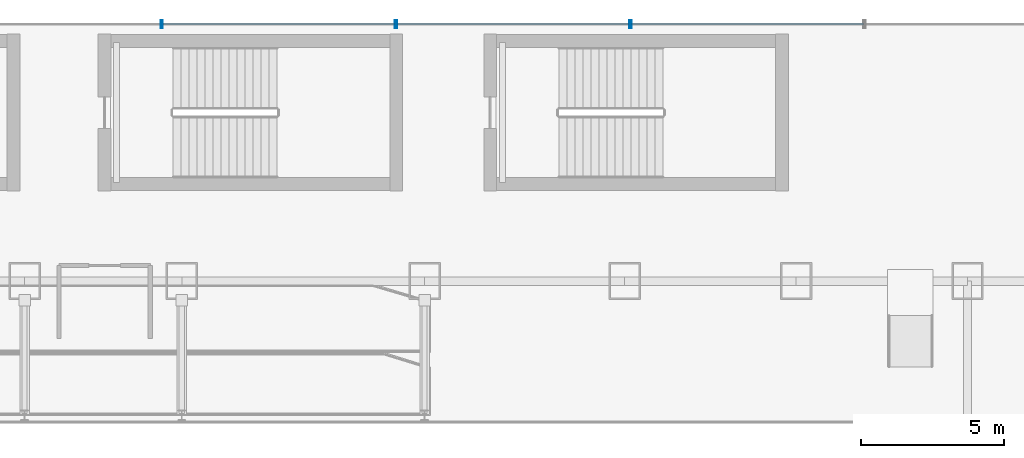
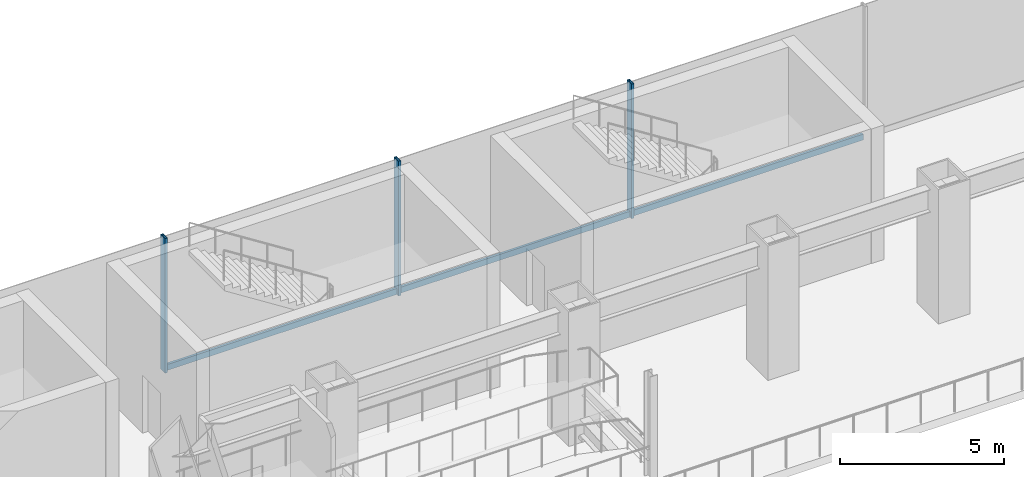
# One storey, part 17 of 39: 6 members, 1 element without a shape of its own.
"""IFC4 building model written with IfcOpenShell, lengths in metres."""

import ifcopenshell
import ifcopenshell.guid

model = None  # the IFC model being written
_history = None  # IfcOwnerHistory: only IFC2X3 demands one
_inside = {}  # id of a spatial element -> (the spatial element, [elements in it])
_under = {}  # id of a project, library or spatial element -> (it, [spatial elements below it])
_declared = {}  # id of a project -> (the project, [libraries it declares])
_typed = {}  # id of a type object -> (the type object, [elements of that type])
_made_of = {}  # id of a material, layer set ... -> (it, [elements and type objects made of it])


def new_model(schema):
    """Start an empty IFC model of exactly this schema.

    Asked for "IFC4X3", IfcOpenShell would pick the latest addendum, in which some entities
    have other attributes; the version numbers below select the first issue.
    IFC2X3 requires an IfcOwnerHistory on every rooted entity: one is made here for all.
    """
    global model, _history
    if schema == "IFC4X3":
        model = ifcopenshell.file(schema_version=(4, 3, 0, 0))
    else:
        model = ifcopenshell.file(schema=schema)
    _inside.clear()
    _under.clear()
    _declared.clear()
    _typed.clear()
    _made_of.clear()
    _history = None
    if model.schema == "IFC2X3":
        org = make("IfcOrganization", Name="unknown")
        user = make(
            "IfcPersonAndOrganization",
            ThePerson=make("IfcPerson", FamilyName="unknown"),
            TheOrganization=org,
        )
        app = make(
            "IfcApplication",
            ApplicationDeveloper=org,
            Version="unknown",
            ApplicationFullName="unknown",
            ApplicationIdentifier="unknown",
        )
        _history = make(
            "IfcOwnerHistory",
            OwningUser=user,
            OwningApplication=app,
            ChangeAction="ADDED",
            CreationDate=0,
        )
    return model


def make(cls, **values):
    """One entity of the class cls with the attributes given. An attribute that is None is left unset."""
    return model.create_entity(
        cls, **{name: value for name, value in values.items() if value is not None}
    )


def rooted(cls, **values):
    """An entity with a GlobalId (a new one), such as an element, a storey or a relation."""
    return make(cls, GlobalId=ifcopenshell.guid.new(), OwnerHistory=_history, **values)


def si_unit(unit_type, name, prefix=None):
    """IfcSIUnit, for example si_unit("LENGTHUNIT", "METRE", prefix="MILLI")."""
    return make("IfcSIUnit", UnitType=unit_type, Prefix=prefix, Name=name)


def derived_unit(unit_type, elements):
    """IfcDerivedUnit: a product of units, each with its exponent."""
    return make(
        "IfcDerivedUnit",
        Elements=[
            make("IfcDerivedUnitElement", Unit=unit, Exponent=power)
            for unit, power in elements
        ],
        UnitType=unit_type,
    )


def assignment(units):
    """IfcUnitAssignment: the units of a project."""
    return None if units is None else make("IfcUnitAssignment", Units=units)


def point(xyz):
    """IfcCartesianPoint."""
    return None if xyz is None else make("IfcCartesianPoint", Coordinates=xyz)


def direction(xyz):
    """IfcDirection."""
    return None if xyz is None else make("IfcDirection", DirectionRatios=xyz)


def frame(location, z_axis=None, x_axis=None):
    """IfcAxis2Placement3D, a coordinate frame: its origin and axes. An axis left out is left unset."""
    return make(
        "IfcAxis2Placement3D",
        Location=point(location),
        Axis=direction(z_axis),
        RefDirection=direction(x_axis),
    )


def frame_2d(location, x_axis=None):
    """IfcAxis2Placement2D, a coordinate frame in the plane: its origin and x axis."""
    return make(
        "IfcAxis2Placement2D", Location=point(location), RefDirection=direction(x_axis)
    )


def origin():
    """The frame at (0, 0, 0) with its axes left unset."""
    return frame((0.0, 0.0, 0.0))


def origin_2d():
    """The frame at (0, 0) in the plane with its x axis left unset."""
    return frame_2d((0.0, 0.0))


def place(relative_to, where):
    """IfcLocalPlacement: puts the frame where relative to a parent placement (None: the world)."""
    return make(
        "IfcLocalPlacement", PlacementRelTo=relative_to, RelativePlacement=where
    )


def context(
    kind, dimensions, precision=None, world=None, true_north=None, identifier=None
):
    """IfcGeometricRepresentationContext, for example the 3D "Model" context."""
    return make(
        "IfcGeometricRepresentationContext",
        ContextIdentifier=identifier,
        ContextType=kind,
        CoordinateSpaceDimension=dimensions,
        Precision=precision,
        WorldCoordinateSystem=world,
        TrueNorth=true_north,
    )


def subcontext(parent, identifier, kind, view, scale=None):
    """IfcGeometricRepresentationSubContext, for example "Body" below "Model"."""
    return make(
        "IfcGeometricRepresentationSubContext",
        ContextIdentifier=identifier,
        ContextType=kind,
        ParentContext=parent,
        TargetScale=scale,
        TargetView=view,
    )


def project(units=None, contexts=None):
    """IfcProject with its units and contexts."""
    return rooted(
        "IfcProject",
        Name="project",
        RepresentationContexts=contexts,
        UnitsInContext=assignment(units),
    )


def spatial(cls, under=None, at=None, **own):
    """A site, building, storey or space (cls), placed at a placement, below another one or the project."""
    s = rooted(cls, ObjectPlacement=at, **own)
    if under is not None:
        _under.setdefault(under.id(), (under, []))[1].append(s)
    return s


def profile(cls, at=None, kind="AREA", **sizes):
    """A parametric profile (cls). Its sizes go by their IFC names, for example OverallWidth=200.0."""
    return make(cls, ProfileType=kind, Position=at, **sizes)


def hollow_rectangle(**sizes):
    """IfcRectangleHollowProfileDef."""
    return profile("IfcRectangleHollowProfileDef", **sizes)


def extrude(swept, where, along, depth):
    """IfcExtrudedAreaSolid: the profile swept, set in the frame where, extruded along a direction by depth."""
    return make(
        "IfcExtrudedAreaSolid",
        SweptArea=swept,
        Position=where,
        ExtrudedDirection=direction(along),
        Depth=depth,
    )


def shape(context_of_items, identifier, shape_type, items):
    """IfcShapeRepresentation: the items that make up one representation, for example the "Body"."""
    return make(
        "IfcShapeRepresentation",
        ContextOfItems=context_of_items,
        RepresentationIdentifier=identifier,
        RepresentationType=shape_type,
        Items=items,
    )


def source(mapping_origin, context_of_items, identifier, shape_type, items):
    """IfcRepresentationMap: a shape defined once, which mapped items show again and again."""
    return make(
        "IfcRepresentationMap",
        MappingOrigin=mapping_origin,
        MappedRepresentation=shape(context_of_items, identifier, shape_type, items),
    )


def transform(
    local_origin,
    x_axis=None,
    y_axis=None,
    z_axis=None,
    scale=None,
    scale2=None,
    scale3=None,
    uniform=True,
):
    """IfcCartesianTransformationOperator3D, or its non-uniform kind. x_axis, y_axis, z_axis: its Axis1, 2, 3."""
    if uniform:
        return make(
            "IfcCartesianTransformationOperator3D",
            Axis1=direction(x_axis),
            Axis2=direction(y_axis),
            LocalOrigin=point(local_origin),
            Scale=scale,
            Axis3=direction(z_axis),
        )
    return make(
        "IfcCartesianTransformationOperator3DnonUniform",
        Axis1=direction(x_axis),
        Axis2=direction(y_axis),
        LocalOrigin=point(local_origin),
        Scale=scale,
        Axis3=direction(z_axis),
        Scale2=scale2,
        Scale3=scale3,
    )


def mapped(mapping_source, mapping_target):
    """IfcMappedItem: shows the shape of a source again, moved by a transform."""
    return make(
        "IfcMappedItem", MappingSource=mapping_source, MappingTarget=mapping_target
    )


def material(Name=None, Category=None):
    """IfcMaterial."""
    return make("IfcMaterial", Name=Name, Category=Category)


def material_profile(
    of_material, cross_section, Name=None, Category=None, Priority=None
):
    """IfcMaterialProfile: a cross section and its material."""
    return make(
        "IfcMaterialProfile",
        Name=Name,
        Material=of_material,
        Profile=cross_section,
        Priority=Priority,
        Category=Category,
    )


def profile_set(profiles, Name=None, composite=None):
    """IfcMaterialProfileSet."""
    return make(
        "IfcMaterialProfileSet",
        Name=Name,
        MaterialProfiles=profiles,
        CompositeProfile=composite,
    )


def made_of(thing, what):
    """Note that an element or type object is made of a material, layer set ...; save() writes the relation."""
    if what is not None:
        _made_of.setdefault(what.id(), (what, []))[1].append(thing)
    return thing


def type_object(cls, material=None, **own):
    """A type object (cls), such as IfcWallType, which elements share."""
    return made_of(rooted(cls, **own), material)


def element(
    cls,
    number,
    at=None,
    inside=None,
    cuts=None,
    type_object=None,
    material=None,
    context=None,
    identifier="Body",
    shape_type=None,
    held_by="IfcProductDefinitionShape",
    body=None,
    shapes=None,
    **own,
):
    """One element of the class cls, such as IfcWall. Its Tag is "e" and its number.

    at: its placement. inside: the storey or other place that contains it. cuts: it is an
    opening in that element (IfcRelVoidsElement). A single representation is given by context,
    identifier, shape_type and body (its items); several are given by shapes. held_by: the class
    of the entity that holds the representations. save() writes the other relations.
    """
    e = rooted(cls, Tag="e%d" % number, ObjectPlacement=at, **own)
    if body is not None:
        shapes = [shape(context, identifier, shape_type, body)]
    if shapes is not None:
        e.Representation = make(held_by, Representations=shapes)
    if inside is not None:
        _inside.setdefault(inside.id(), (inside, []))[1].append(e)
    if cuts is not None:
        rooted(
            "IfcRelVoidsElement", RelatingBuildingElement=cuts, RelatedOpeningElement=e
        )
    if type_object is not None:
        _typed.setdefault(type_object.id(), (type_object, []))[1].append(e)
    return made_of(e, material)


def aggregate(whole, parts):
    """IfcRelAggregates: a whole, such as a stair, and the parts it consists of."""
    return rooted("IfcRelAggregates", RelatingObject=whole, RelatedObjects=parts)


def save(model, path):
    """Write the relations noted so far, then the file.

    IfcRelAggregates (storeys below a building ...), IfcRelContainedInSpatialStructure (elements
    in a storey), IfcRelDefinesByType, IfcRelAssociatesMaterial and IfcRelDeclares: one each for
    every whole, place, type object, material and project.
    """
    for whole, parts in _under.values():
        aggregate(whole, parts)
    for where, things in _inside.values():
        rooted(
            "IfcRelContainedInSpatialStructure",
            RelatedElements=things,
            RelatingStructure=where,
        )
    for kind, things in _typed.values():
        rooted("IfcRelDefinesByType", RelatedObjects=things, RelatingType=kind)
    for what, things in _made_of.values():
        rooted("IfcRelAssociatesMaterial", RelatedObjects=things, RelatingMaterial=what)
    for by, libraries in _declared.values():
        rooted("IfcRelDeclares", RelatingContext=by, RelatedDefinitions=libraries)
    model.write(path)


model = new_model("IFC4")

# Units and contexts
model_context = context("Model", 3, precision=1e-05, world=origin(), true_north=direction((0.0, 1.0)))
body_context = subcontext(model_context, "Body", "Model", "MODEL_VIEW")
ifc_project = project(units=[si_unit("LENGTHUNIT", "METRE"), si_unit("AREAUNIT", "SQUARE_METRE"), si_unit("VOLUMEUNIT", "CUBIC_METRE"), si_unit("PLANEANGLEUNIT", "RADIAN"), si_unit("MASSUNIT", "GRAM", prefix="KILO"), derived_unit("THERMALTRANSMITTANCEUNIT", [(si_unit("POWERUNIT", "WATT"), 1), (si_unit("LENGTHUNIT", "METRE"), -2), (si_unit("THERMODYNAMICTEMPERATUREUNIT", "KELVIN"), -1)])], contexts=[model_context])

# Site, building, storey
site_placement = place(None, origin())
site = spatial("IfcSite", under=ifc_project, at=site_placement, CompositionType="ELEMENT")
building_placement = place(site_placement, origin())
building = spatial("IfcBuilding", under=site, at=building_placement, Name="Skarnbrae Concourse Arena and Tower", CompositionType="ELEMENT")
storey_placement = place(building_placement, frame((0.0, 0.0, 11.0)))
storey = spatial("IfcBuildingStorey", under=building, at=storey_placement, Name="L02", CompositionType="ELEMENT", Elevation=11.0)

# Curtain wall, members
ifc_material = material(Name="Bronze anodised aluminium 6063-T6", Category="aluminium")
curtain_wall_type = type_object("IfcCurtainWallType", Name="CW-SYS-01-PODIUM", PredefinedType="USERDEFINED", material=ifc_material)
curtain_wall_placement = place(storey_placement, origin())
curtain_wall = element("IfcCurtainWall", 1, at=curtain_wall_placement, inside=storey, type_object=curtain_wall_type, Name="L02 Unitised curtain wall CW-L02-N", ObjectType="UNITISED CURTAIN WALL", PredefinedType="USERDEFINED")
ifc_material_profile_1 = material_profile(ifc_material, hollow_rectangle(XDim=0.0849609375, YDim=0.280029296875, WallThickness=0.006103515625, at=origin_2d()), Name="ALU-MULL-85X280")
ifc_profile_set_1 = profile_set([ifc_material_profile_1], Name="Bronze anodised aluminium 6063-T6")
member_type_1 = type_object("IfcMemberType", Name="CWM-CW-01", PredefinedType="MULLION", material=ifc_profile_set_1)
shared_shape_1 = source(origin(), body_context, "Body", "SweptSolid", [
    extrude(hollow_rectangle(XDim=0.0849609375, YDim=0.280029296875, WallThickness=0.006103515625, at=origin_2d()), origin(), (0.0, 0.0, 1.0), 5.0),
])
member_1_placement = place(storey_placement, frame((49.199951171875, 56.0, 0.0), z_axis=(0.0, 0.0, 1.0), x_axis=(-1.0, 0.0, 0.0)))
member_1 = element("IfcMember", 2, at=member_1_placement, type_object=member_type_1, Name="CW-L02-N Mullion 5", PredefinedType="MULLION", context=body_context, shape_type="MappedRepresentation", body=[
    mapped(shared_shape_1, transform((0.0, 0.0, 0.0))),
])
member_2_placement = place(storey_placement, frame((41.0, 56.0, 0.0), z_axis=(0.0, 0.0, 1.0), x_axis=(-1.0, 0.0, 0.0)))
member_2 = element("IfcMember", 3, at=member_2_placement, type_object=member_type_1, Name="CW-L02-N Mullion 6", PredefinedType="MULLION", context=body_context, shape_type="MappedRepresentation", body=[
    mapped(shared_shape_1, transform((0.0, 0.0, 0.0))),
])
member_3_placement = place(storey_placement, frame((32.800048828125, 56.0, 0.0), z_axis=(0.0, 0.0, 1.0), x_axis=(-1.0, 0.0, 0.0)))
member_3 = element("IfcMember", 4, at=member_3_placement, type_object=member_type_1, Name="CW-L02-N Mullion 7", PredefinedType="MULLION", context=body_context, shape_type="MappedRepresentation", body=[
    mapped(shared_shape_1, transform((0.0, 0.0, 0.0))),
])
ifc_material_profile_2 = material_profile(ifc_material, hollow_rectangle(XDim=0.0849609375, YDim=0.219970703125, WallThickness=0.006103515625, at=origin_2d()), Name="ALU-TRAN-85X220")
ifc_profile_set_2 = profile_set([ifc_material_profile_2], Name="Bronze anodised aluminium 6063-T6")
member_type_2 = type_object("IfcMemberType", Name="CWT-CW-01", PredefinedType="USERDEFINED", material=ifc_profile_set_2)
shared_shape_2 = source(origin(), body_context, "Body", "SweptSolid", [
    extrude(hollow_rectangle(XDim=0.0849609375, YDim=0.219970703125, WallThickness=0.006103515625, at=origin_2d()), origin(), (0.0, 0.0, 1.0), 8.114990234375),
])
member_4_placement = place(storey_placement, frame((57.357421875, 56.0, 0.110107421875), z_axis=(-1.0, 0.0, 0.0), x_axis=(0.0, -1.0, 0.0)))
member_4 = element("IfcMember", 5, at=member_4_placement, type_object=member_type_2, Name="CW-L02-N Transom 4", ObjectType="TRANSOM", PredefinedType="USERDEFINED", context=body_context, shape_type="MappedRepresentation", body=[
    mapped(shared_shape_2, transform((0.0, 0.0, 0.0))),
])
member_5_placement = place(storey_placement, frame((49.157470703125, 56.0, 0.110107421875), z_axis=(-1.0, 0.0, 0.0), x_axis=(0.0, -1.0, 0.0)))
member_5 = element("IfcMember", 6, at=member_5_placement, type_object=member_type_2, Name="CW-L02-N Transom 5", ObjectType="TRANSOM", PredefinedType="USERDEFINED", context=body_context, shape_type="MappedRepresentation", body=[
    mapped(shared_shape_2, transform((0.0, 0.0, 0.0))),
])
member_6_placement = place(storey_placement, frame((40.95751953125, 56.0, 0.110107421875), z_axis=(-1.0, 0.0, 0.0), x_axis=(0.0, -1.0, 0.0)))
member_6 = element("IfcMember", 7, at=member_6_placement, type_object=member_type_2, Name="CW-L02-N Transom 6", ObjectType="TRANSOM", PredefinedType="USERDEFINED", context=body_context, shape_type="MappedRepresentation", body=[
    mapped(shared_shape_2, transform((0.0, 0.0, 0.0))),
])
aggregate(curtain_wall, [member_1, member_2, member_3, member_4, member_5, member_6])

save(model, "model.ifc")
